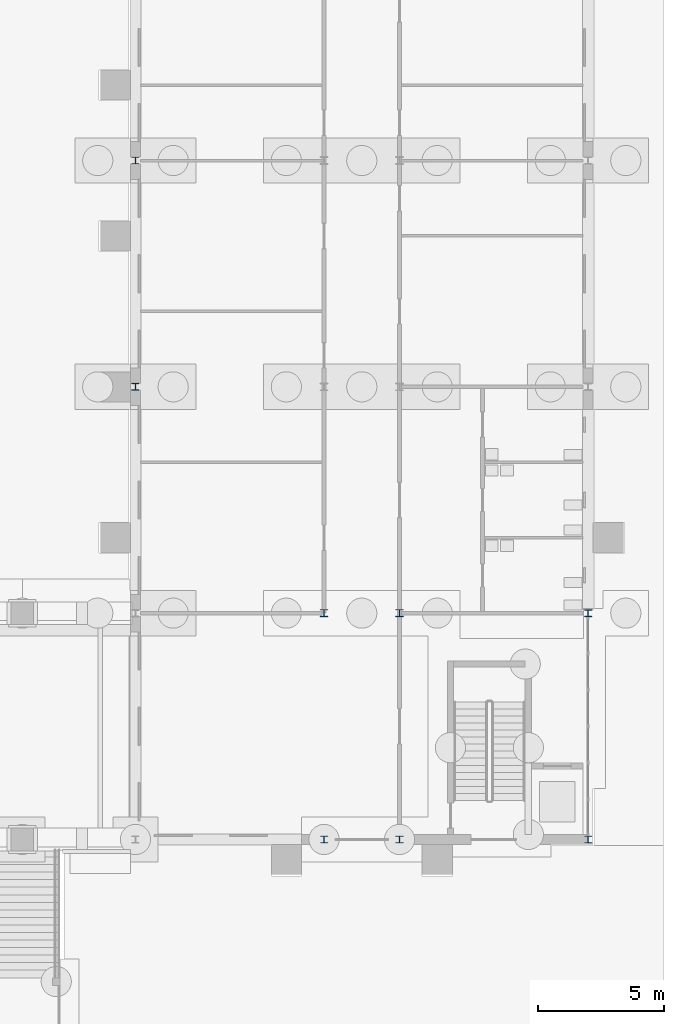
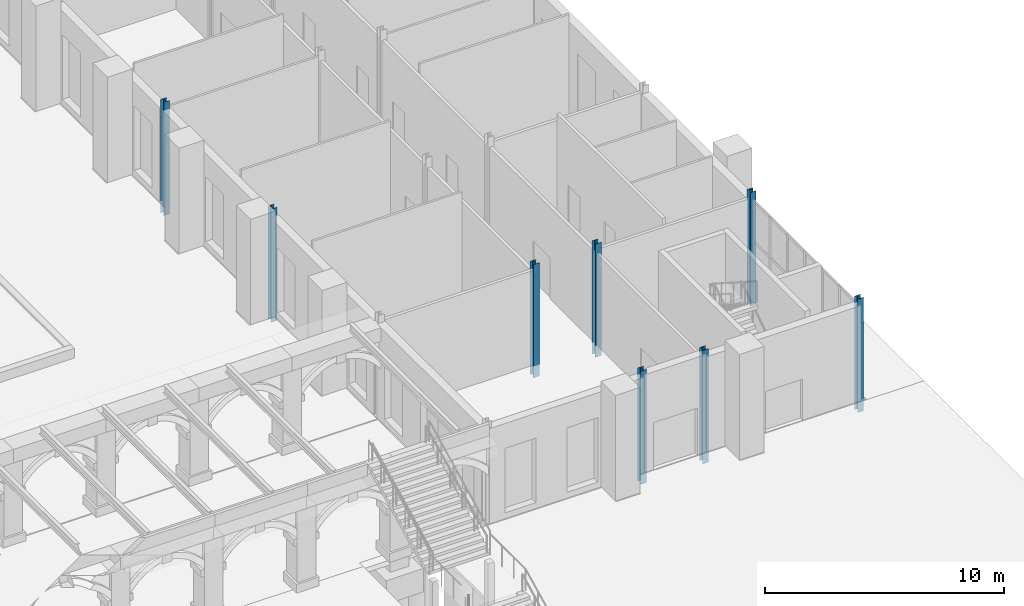
# One storey, part 28 of 168: 8 columns.
"""IFC4 building model written with IfcOpenShell, lengths in metres."""

from ifc_helpers import new_model, si_unit, direction, frame, origin, origin_2d, place, context, subcontext, project, spatial, i_section, extrude, material, material_profile, profile_set, type_object, element, save


model = new_model("IFC4")

# Units and contexts
model_context = context("Model", 3, precision=1e-05, world=origin(), true_north=direction((0.0, 1.0)))
body_context = subcontext(model_context, "Body", "Model", "MODEL_VIEW")
ifc_project = project(units=[si_unit("LENGTHUNIT", "METRE"), si_unit("AREAUNIT", "SQUARE_METRE"), si_unit("VOLUMEUNIT", "CUBIC_METRE"), si_unit("PLANEANGLEUNIT", "RADIAN"), si_unit("MASSUNIT", "GRAM", prefix="KILO")], contexts=[model_context])

# Site, building, storey
site_placement = place(None, origin())
site = spatial("IfcSite", under=ifc_project, at=site_placement, CompositionType="ELEMENT")
building_placement = place(site_placement, origin())
building = spatial("IfcBuilding", under=site, at=building_placement, Name="Golden Quay Civic Hall", CompositionType="ELEMENT")
storey_placement = place(building_placement, origin())
storey = spatial("IfcBuildingStorey", under=building, at=storey_placement, Name="L00", CompositionType="ELEMENT", Elevation=0.0)

# Columns
ifc_material_1 = material(Name="Steel S355", Category="steel")
ifc_material_profile_1 = material_profile(ifc_material_1, i_section(OverallWidth=0.280029296875, OverallDepth=0.27001953125, WebThickness=0.008056640625, FlangeThickness=0.012939453125, FilletRadius=0.02392578125, at=origin_2d()), Name="HEA 280")
ifc_profile_set_1 = profile_set([ifc_material_profile_1], Name="Steel S355")
column_type_1 = type_object("IfcColumnType", Name="Steel column HEA 280", PredefinedType="COLUMN", material=ifc_profile_set_1)
for number, where, z_axis, x_axis, name in (
    (1, (153.0, 9.0, -0.60009765625), (0.0, 0.0, 1.0), (1.0, 0.0, 0.0), "Column 153/9 L00"),
    (2, (153.0, 18.0, -0.60009765625), (0.0, 0.0, 1.0), (1.0, 0.0, 0.0), "Column 153/18 L00"),
    (3, (160.5, -9.0, -0.60009765625), (0.0, 0.0, 1.0), (1.0, 0.0, 0.0), "Column 160.5/-9 L00"),
    (4, (163.5, -9.0, -0.60009765625), (0.0, 0.0, 1.0), (1.0, 0.0, 0.0), "Column 163.5/-9 L00"),
    (5, (171.0, -9.0, -0.60009765625), (0.0, 0.0, 1.0), (1.0, 0.0, 0.0), "Column 171/-9 L00"),
    (6, (171.0, 0.0, -0.60009765625), (0.0, 0.0, 1.0), (1.0, 0.0, 0.0), "Column 171/0 L00"),
):
    element("IfcColumn", number, at=place(storey_placement, frame(where, z_axis=z_axis, x_axis=x_axis)), inside=storey, type_object=column_type_1, Name=name, PredefinedType="COLUMN", context=body_context, shape_type="SweptSolid", body=[
        extrude(i_section(OverallWidth=0.280029296875, OverallDepth=0.27001953125, WebThickness=0.008056640625, FlangeThickness=0.012939453125, FilletRadius=0.02392578125, at=origin_2d()), origin(), (0.0, 0.0, 1.0), 5.800048828125),
    ])
ifc_material_2 = material(Name="Steel S355", Category="steel")
ifc_material_profile_2 = material_profile(ifc_material_2, i_section(OverallWidth=0.300048828125, OverallDepth=0.2900390625, WebThickness=0.008544921875, FlangeThickness=0.013916015625, FilletRadius=0.027099609375, at=origin_2d()), Name="HEA 300")
ifc_profile_set_2 = profile_set([ifc_material_profile_2], Name="Steel S355")
column_type_2 = type_object("IfcColumnType", Name="Steel column HEA 300", PredefinedType="COLUMN", material=ifc_profile_set_2)
for number, where, z_axis, x_axis, name in (
    (7, (160.5, 0.0, -0.60009765625), (0.0, 0.0, 1.0), (1.0, 0.0, 0.0), "Column 160.5/0 L00"),
    (8, (163.5, 0.0, -0.60009765625), (0.0, 0.0, 1.0), (1.0, 0.0, 0.0), "Column 163.5/0 L00"),
):
    element("IfcColumn", number, at=place(storey_placement, frame(where, z_axis=z_axis, x_axis=x_axis)), inside=storey, type_object=column_type_2, Name=name, PredefinedType="COLUMN", context=body_context, shape_type="SweptSolid", body=[
        extrude(i_section(OverallWidth=0.300048828125, OverallDepth=0.2900390625, WebThickness=0.008544921875, FlangeThickness=0.013916015625, FilletRadius=0.027099609375, at=origin_2d()), origin(), (0.0, 0.0, 1.0), 5.800048828125),
    ])

save(model, "model.ifc")
